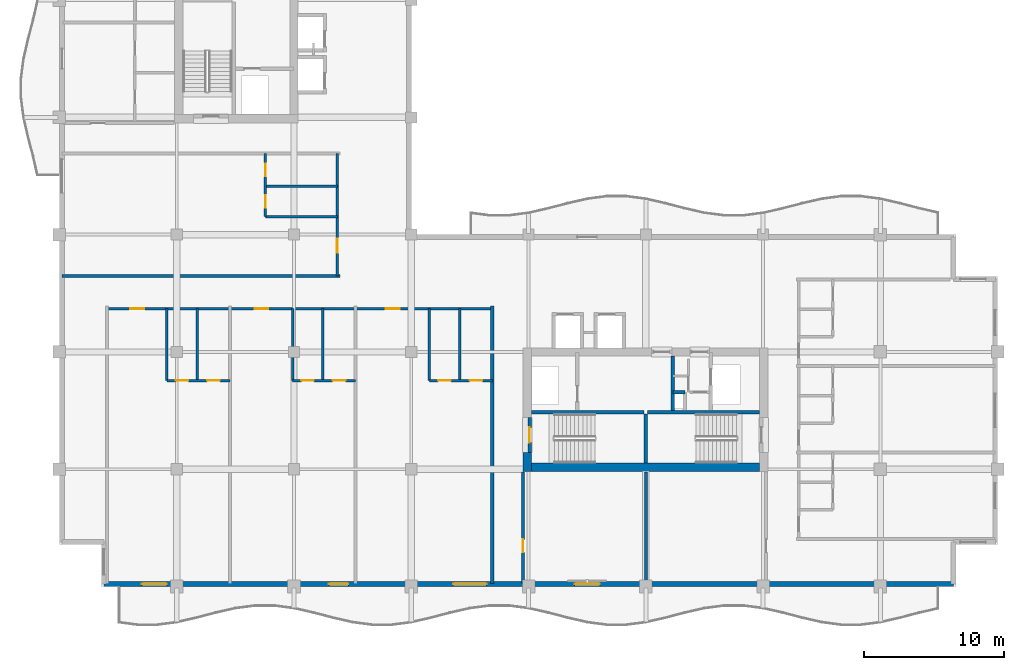
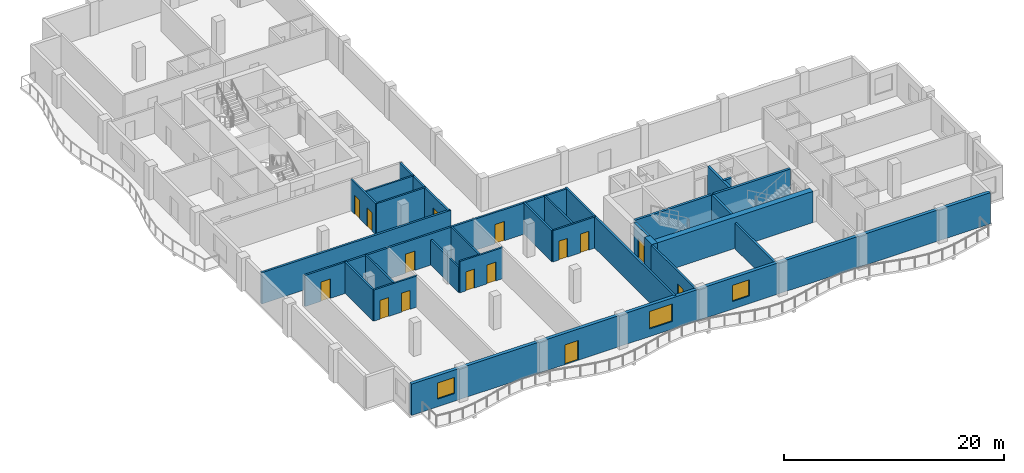
# One storey, part 3 of 12: 27 walls, 15 doors, 3 windows, 18 openings.
"""IFC4 building model written with IfcOpenShell, lengths in metres."""

from ifc_helpers import new_model, si_unit, direction, frame, frame_2d, origin, place, context, subcontext, project, spatial, rectangle, extrude, material, layer, layer_set, type_object, element, fill, save


model = new_model("IFC4")

# Units and contexts
model_context = context("Model", 3, precision=1e-05, world=origin(), true_north=direction((0.0, 1.0)))
body_context = subcontext(model_context, "Body", "Model", "MODEL_VIEW")
ifc_project = project(units=[si_unit("LENGTHUNIT", "METRE"), si_unit("AREAUNIT", "SQUARE_METRE"), si_unit("VOLUMEUNIT", "CUBIC_METRE"), si_unit("PLANEANGLEUNIT", "RADIAN"), si_unit("MASSUNIT", "GRAM", prefix="KILO")], contexts=[model_context])

# Site, building, storey
site_placement = place(None, origin())
site = spatial("IfcSite", under=ifc_project, at=site_placement, CompositionType="ELEMENT")
building_placement = place(site_placement, origin())
building = spatial("IfcBuilding", under=site, at=building_placement, Name="Koriwani Terraces Tower", CompositionType="ELEMENT")
storey_placement = place(building_placement, frame((0.0, 0.0, 241.60009765625)))
storey = spatial("IfcBuildingStorey", under=building, at=storey_placement, Name="L59", CompositionType="ELEMENT", Elevation=241.60009765625)

# Walls
ifc_material_1 = material(Name="Concrete C60/75", Category="concrete")
ifc_layer_1 = layer(ifc_material_1, 0.60009765625, Name="Concrete C60/75")
ifc_layer_set_1 = layer_set([ifc_layer_1], Name="Concrete C60/75")
wall_type_1 = type_object("IfcWallType", Name="WALL_CORE_RC_600", PredefinedType="SHEAR", material=ifc_layer_set_1)
wall_1_placement = place(storey_placement, frame((41.89990234375, 16.64990234375, 0.0), z_axis=(0.0, 0.0, 1.0), x_axis=(0.0, 1.0, 0.0)))
element("IfcWall", 1, at=wall_1_placement, inside=storey, type_object=wall_type_1, Name="L59 East Split Core Shear Wall W1", PredefinedType="SHEAR", context=body_context, shape_type="SweptSolid", body=[
    extrude(rectangle(XDim=1.35009765625, YDim=0.60009765625, at=frame_2d((0.675048828125, 0.0))), origin(), (0.0, 0.0, 1.0), 3.469970703125),
])
wall_2_placement = place(storey_placement, frame((42.199951171875, 16.949951171875, 0.0), z_axis=(0.0, 0.0, 1.0), x_axis=(1.0, 0.0, 0.0)))
element("IfcWall", 2, at=wall_2_placement, inside=storey, type_object=wall_type_1, Name="L59 East Split Core Shear Wall S1", PredefinedType="SHEAR", context=body_context, shape_type="SweptSolid", body=[
    extrude(rectangle(XDim=16.35009765625, YDim=0.60009765625, at=frame_2d((8.175048828125, 0.0))), origin(), (0.0, 0.0, 1.0), 3.469970703125),
])

# Wall, opening, door
ifc_material_2 = material(Name="Autoclaved Cellular Concrete Blockwork", Category="masonry")
ifc_layer_2 = layer(ifc_material_2, 0.199951171875, Name="Autoclaved Cellular Concrete Blockwork")
ifc_layer_set_2 = layer_set([ifc_layer_2], Name="Autoclaved Cellular Concrete Blockwork")
wall_type_2 = type_object("IfcWallType", Name="WALL_CORRIDOR_200", PredefinedType="PARTITIONING", material=ifc_layer_set_2)
wall_3_placement = place(storey_placement, frame((41.60009765625, 8.64990234375, 0.0), z_axis=(0.0, 0.0, 1.0), x_axis=(0.0, 1.0, 0.0)))
wall_3 = element("IfcWall", 3, at=wall_3_placement, inside=storey, type_object=wall_type_2, Name="L59 Interior Wall WRZ4-EW-L59", PredefinedType="PARTITIONING", context=body_context, shape_type="SweptSolid", body=[
    extrude(rectangle(XDim=7.9501953125, YDim=0.199951171875, at=frame_2d((3.97509765625, 0.0))), origin(), (0.0, 0.0, 1.0), 3.469970703125),
])
opening_1_placement = place(wall_3_placement, frame((2.199951171875, 0.0, 0.0)))
opening_1 = element("IfcOpeningElement", 4, at=opening_1_placement, cuts=wall_3, Name="Opening D-06", PredefinedType="OPENING", context=body_context, shape_type="SweptSolid", body=[
    extrude(rectangle(XDim=0.919921875, YDim=2.10009765625, at=frame_2d((0.4599609375, 1.050048828125))), frame((0.0, 0.10986328125, 0.0), z_axis=(0.0, -1.0, 0.0), x_axis=(1.0, 0.0, 0.0)), (0.0, 0.0, 1.0), 0.219970703125),
])
ifc_material_3 = material(Name="Architectural Oak Fire Door", Category="wood")
door_type_1 = type_object("IfcDoorType", Name="DOOR_ROOM_INT_920X2100", OperationType="NOTDEFINED", PredefinedType="DOOR", material=ifc_material_3)
door_1_placement = place(opening_1_placement, origin())
door_1 = element("IfcDoor", 5, at=door_1_placement, inside=storey, type_object=door_type_1, Name="L59 Resident Library Study Door", OperationType="SINGLE_SWING_LEFT", OverallHeight=2.10009765625, OverallWidth=0.919921875, PredefinedType="DOOR", context=body_context, shape_type="SweptSolid", body=[
    extrude(rectangle(XDim=0.919921875, YDim=2.10009765625, at=frame_2d((0.4599609375, 1.050048828125))), frame((0.0, 0.02490234375, 0.0), z_axis=(0.0, -1.0, 0.0), x_axis=(1.0, 0.0, 0.0)), (0.0, 0.0, 1.0), 0.050048828125),
])
fill(opening_1, door_1)

# Wall, openings, doors
wall_4_placement = place(storey_placement, frame((11.800048828125, 28.300048828125, 0.0), z_axis=(0.0, 0.0, 1.0), x_axis=(1.0, 0.0, 0.0)))
wall_4 = element("IfcWall", 6, at=wall_4_placement, inside=storey, type_object=wall_type_2, Name="L59 Interior Wall WRCOR-L59-SW-0", PredefinedType="PARTITIONING", context=body_context, shape_type="SweptSolid", body=[
    extrude(rectangle(XDim=27.599853515625, YDim=0.199951171875, at=frame_2d((13.7998046875, 0.0))), origin(), (0.0, 0.0, 1.0), 3.469970703125),
])
opening_2_placement = place(wall_4_placement, frame((1.669921875, 0.0, 0.0)))
opening_2 = element("IfcOpeningElement", 7, at=opening_2_placement, cuts=wall_4, Name="Opening D-05", PredefinedType="OPENING", context=body_context, shape_type="SweptSolid", body=[
    extrude(rectangle(XDim=1.0, YDim=2.14990234375, at=frame_2d((0.5, 1.074951171875))), frame((0.0, 0.10986328125, 0.0), z_axis=(0.0, -1.0, 0.0), x_axis=(1.0, 0.0, 0.0)), (0.0, 0.0, 1.0), 0.219970703125),
])
opening_3_placement = place(wall_4_placement, frame((10.570068359375, 0.0, 0.0)))
opening_3 = element("IfcOpeningElement", 8, at=opening_3_placement, cuts=wall_4, Name="Opening D-05", PredefinedType="OPENING", context=body_context, shape_type="SweptSolid", body=[
    extrude(rectangle(XDim=1.0, YDim=2.14990234375, at=frame_2d((0.5, 1.074951171875))), frame((0.0, 0.10986328125, 0.0), z_axis=(0.0, -1.0, 0.0), x_axis=(1.0, 0.0, 0.0)), (0.0, 0.0, 1.0), 0.219970703125),
])
opening_4_placement = place(wall_4_placement, frame((19.969970703125, 0.0, 0.0)))
opening_4 = element("IfcOpeningElement", 9, at=opening_4_placement, cuts=wall_4, Name="Opening D-05", PredefinedType="OPENING", context=body_context, shape_type="SweptSolid", body=[
    extrude(rectangle(XDim=1.0, YDim=2.14990234375, at=frame_2d((0.5, 1.074951171875))), frame((0.0, 0.10986328125, 0.0), z_axis=(0.0, -1.0, 0.0), x_axis=(1.0, 0.0, 0.0)), (0.0, 0.0, 1.0), 0.219970703125),
])
door_type_2 = type_object("IfcDoorType", Name="DOOR_SUITE_ENTRY_1000X2150", OperationType="NOTDEFINED", PredefinedType="DOOR", material=ifc_material_3)
door_2_placement = place(opening_2_placement, origin())
door_2 = element("IfcDoor", 10, at=door_2_placement, inside=storey, type_object=door_type_2, Name="Apartment 59SW1 Entrance Door", OperationType="SINGLE_SWING_LEFT", OverallHeight=2.14990234375, OverallWidth=1.0, PredefinedType="DOOR", context=body_context, shape_type="SweptSolid", body=[
    extrude(rectangle(XDim=1.0, YDim=2.14990234375, at=frame_2d((0.5, 1.074951171875))), frame((0.0, 0.02490234375, 0.0), z_axis=(0.0, -1.0, 0.0), x_axis=(1.0, 0.0, 0.0)), (0.0, 0.0, 1.0), 0.050048828125),
])
fill(opening_2, door_2)
door_3_placement = place(opening_3_placement, origin())
door_3 = element("IfcDoor", 11, at=door_3_placement, inside=storey, type_object=door_type_2, Name="Apartment 59SW2 Entrance Door", OperationType="SINGLE_SWING_RIGHT", OverallHeight=2.14990234375, OverallWidth=1.0, PredefinedType="DOOR", context=body_context, shape_type="SweptSolid", body=[
    extrude(rectangle(XDim=1.0, YDim=2.14990234375, at=frame_2d((0.5, 1.074951171875))), frame((0.0, 0.02490234375, 0.0), z_axis=(0.0, -1.0, 0.0), x_axis=(1.0, 0.0, 0.0)), (0.0, 0.0, 1.0), 0.050048828125),
])
fill(opening_3, door_3)
door_4_placement = place(opening_4_placement, origin())
door_4 = element("IfcDoor", 12, at=door_4_placement, inside=storey, type_object=door_type_2, Name="Apartment 59SW3 Entrance Door", OperationType="SINGLE_SWING_LEFT", OverallHeight=2.14990234375, OverallWidth=1.0, PredefinedType="DOOR", context=body_context, shape_type="SweptSolid", body=[
    extrude(rectangle(XDim=1.0, YDim=2.14990234375, at=frame_2d((0.5, 1.074951171875))), frame((0.0, 0.02490234375, 0.0), z_axis=(0.0, -1.0, 0.0), x_axis=(1.0, 0.0, 0.0)), (0.0, 0.0, 1.0), 0.050048828125),
])
fill(opening_4, door_4)

# Wall, opening, door
wall_5_placement = place(storey_placement, frame((28.300048828125, 30.64990234375, 0.0), z_axis=(0.0, 0.0, 1.0), x_axis=(0.0, 1.0, 0.0)))
wall_5 = element("IfcWall", 13, at=wall_5_placement, inside=storey, type_object=wall_type_2, Name="L59 Interior Wall WRCOR-L59-NE-0", PredefinedType="PARTITIONING", context=body_context, shape_type="SweptSolid", body=[
    extrude(rectangle(XDim=8.75, YDim=0.199951171875, at=frame_2d((4.375, 0.0))), origin(), (0.0, 0.0, 1.0), 3.469970703125),
])
opening_5_placement = place(wall_5_placement, frame((1.64501953125, 0.0, 0.0)))
opening_5 = element("IfcOpeningElement", 14, at=opening_5_placement, cuts=wall_5, Name="Opening D-05", PredefinedType="OPENING", context=body_context, shape_type="SweptSolid", body=[
    extrude(rectangle(XDim=1.0, YDim=2.14990234375, at=frame_2d((0.5, 1.074951171875))), frame((0.0, 0.10986328125, 0.0), z_axis=(0.0, -1.0, 0.0), x_axis=(1.0, 0.0, 0.0)), (0.0, 0.0, 1.0), 0.219970703125),
])
door_5_placement = place(opening_5_placement, origin())
door_5 = element("IfcDoor", 15, at=door_5_placement, inside=storey, type_object=door_type_2, Name="Apartment 59NE1 Entrance Door", OperationType="SINGLE_SWING_RIGHT", OverallHeight=2.14990234375, OverallWidth=1.0, PredefinedType="DOOR", context=body_context, shape_type="SweptSolid", body=[
    extrude(rectangle(XDim=1.0, YDim=2.14990234375, at=frame_2d((0.5, 1.074951171875))), frame((0.0, 0.02490234375, 0.0), z_axis=(0.0, -1.0, 0.0), x_axis=(1.0, 0.0, 0.0)), (0.0, 0.0, 1.0), 0.050048828125),
])
fill(opening_5, door_5)

# Walls
ifc_layer_3 = layer(ifc_material_2, 0.219970703125, Name="Autoclaved Cellular Concrete Blockwork")
ifc_layer_set_3 = layer_set([ifc_layer_3], Name="Autoclaved Cellular Concrete Blockwork")
wall_type_3 = type_object("IfcWallType", Name="WALL_DEMISING_220", PredefinedType="PARTITIONING", material=ifc_layer_set_3)
wall_6_placement = place(storey_placement, frame((50.39990234375, 8.64990234375, 0.0), z_axis=(0.0, 0.0, 1.0), x_axis=(0.0, 1.0, 0.0)))
element("IfcWall", 16, at=wall_6_placement, inside=storey, type_object=wall_type_3, Name="L59 Interior Wall WRZ4-EM-L59", PredefinedType="PARTITIONING", context=body_context, shape_type="SweptSolid", body=[
    extrude(rectangle(XDim=7.9501953125, YDim=0.219970703125, at=frame_2d((3.97509765625, 0.0))), origin(), (0.0, 0.0, 1.0), 2.852783203125),
])
for number, where, z_axis, x_axis, name in (
    (17, (39.39990234375, 8.60009765625, 0.0), (0.0, 0.0, 1.0), (0.0, 1.0, 0.0), "L59 Interior Wall WRDEME-L59-SW"),
    (18, (8.60009765625, 30.64990234375, 0.0), (0.0, 0.0, 1.0), (1.0, 0.0, 0.0), "L59 Interior Wall WRDEM-L59-NE-0"),
):
    element("IfcWall", number, at=place(storey_placement, frame(where, z_axis=z_axis, x_axis=x_axis)), inside=storey, type_object=wall_type_3, Name=name, PredefinedType="PARTITIONING", context=body_context, shape_type="SweptSolid", body=[
        extrude(rectangle(XDim=19.8798828125, YDim=0.219970703125, at=frame_2d((9.93994140625, 0.0))), origin(), (0.0, 0.0, 1.0), 3.469970703125),
    ])

# Wall, openings, door, windows
ifc_material_4 = material(Name="Concrete C50/60", Category="concrete")
ifc_layer_4 = layer(ifc_material_4, 0.35009765625, Name="Concrete C50/60")
ifc_layer_set_4 = layer_set([ifc_layer_4], Name="Concrete C50/60")
wall_type_4 = type_object("IfcWallType", Name="WALL_EXT_BRUTALIST_350", PredefinedType="STANDARD", material=ifc_layer_set_4)
wall_7_placement = place(storey_placement, frame((72.425048828125, 8.574951171875, 0.0), z_axis=(0.0, 0.0, 1.0), x_axis=(-1.0, 0.0, 0.0)))
wall_7 = element("IfcWall", 19, at=wall_7_placement, inside=storey, type_object=wall_type_4, Name="L59 Fair-Faced Brutalist Exterior Wall (S)", PredefinedType="STANDARD", context=body_context, shape_type="SweptSolid", body=[
    extrude(rectangle(XDim=60.85009765625, YDim=0.35009765625, at=frame_2d((30.425048828125, 0.0))), origin(), (0.0, 0.0, 1.0), 3.469970703125),
])
opening_6_placement = place(wall_7_placement, frame((43.324951171875, 0.0, 0.0)))
opening_6 = element("IfcOpeningElement", 20, at=opening_6_placement, cuts=wall_7, Name="Opening D-09", PredefinedType="OPENING", context=body_context, shape_type="SweptSolid", body=[
    extrude(rectangle(XDim=1.39990234375, YDim=2.199951171875, at=frame_2d((0.699951171875, 1.10009765625))), frame((0.0, 0.18505859375, 0.0), z_axis=(0.0, -1.0, 0.0), x_axis=(1.0, 0.0, 0.0)), (0.0, 0.0, 1.0), 0.3701171875),
])
opening_7_placement = place(wall_7_placement, frame((33.425048828125, 0.0, 0.85009765625)))
opening_7 = element("IfcOpeningElement", 21, at=opening_7_placement, cuts=wall_7, Name="Opening W-03", PredefinedType="OPENING", context=body_context, shape_type="SweptSolid", body=[
    extrude(rectangle(XDim=2.39990234375, YDim=1.949951171875, at=frame_2d((1.199951171875, 0.97509765625))), frame((0.0, 0.18505859375, 0.0), z_axis=(0.0, -1.0, 0.0), x_axis=(1.0, 0.0, 0.0)), (0.0, 0.0, 1.0), 0.3701171875),
])
opening_8_placement = place(wall_7_placement, frame((25.324951171875, 0.0, 0.85009765625)))
opening_8 = element("IfcOpeningElement", 22, at=opening_8_placement, cuts=wall_7, Name="Opening W-04", PredefinedType="OPENING", context=body_context, shape_type="SweptSolid", body=[
    extrude(rectangle(XDim=1.800048828125, YDim=1.800048828125, at=frame_2d((0.89990234375, 0.89990234375))), frame((0.0, 0.18505859375, 0.0), z_axis=(0.0, -1.0, 0.0), x_axis=(1.0, 0.0, 0.0)), (0.0, 0.0, 1.0), 0.3701171875),
])
opening_9_placement = place(wall_7_placement, frame((56.324951171875, 0.0, 0.85009765625)))
opening_9 = element("IfcOpeningElement", 23, at=opening_9_placement, cuts=wall_7, Name="Opening W-04", PredefinedType="OPENING", context=body_context, shape_type="SweptSolid", body=[
    extrude(rectangle(XDim=1.800048828125, YDim=1.800048828125, at=frame_2d((0.89990234375, 0.89990234375))), frame((0.0, 0.18505859375, 0.0), z_axis=(0.0, -1.0, 0.0), x_axis=(1.0, 0.0, 0.0)), (0.0, 0.0, 1.0), 0.3701171875),
])
ifc_material_5 = material(Name="Anodised Bronze Aluminium", Category="aluminium")
door_type_3 = type_object("IfcDoorType", Name="DOOR_BALCONY_GLAZED_1400X2200", OperationType="NOTDEFINED", PredefinedType="DOOR", material=ifc_material_5)
door_6_placement = place(opening_6_placement, origin())
door_6 = element("IfcDoor", 24, at=door_6_placement, inside=storey, type_object=door_type_3, Name="L59 South Balcony Glazed Door", OperationType="SINGLE_SWING_LEFT", OverallHeight=2.199951171875, OverallWidth=1.39990234375, PredefinedType="DOOR", context=body_context, shape_type="SweptSolid", body=[
    extrude(rectangle(XDim=1.39990234375, YDim=2.199951171875, at=frame_2d((0.699951171875, 1.10009765625))), frame((0.0, 0.02490234375, 0.0), z_axis=(0.0, -1.0, 0.0), x_axis=(1.0, 0.0, 0.0)), (0.0, 0.0, 1.0), 0.050048828125),
])
fill(opening_6, door_6)
ifc_material_6 = material(Name="Tempered Laminated Low-E Glass", Category="glass")
window_type_1 = type_object("IfcWindowType", Name="WIN_RES_BED_1800X1800", PartitioningType="DOUBLE_PANEL_VERTICAL", PredefinedType="WINDOW", material=ifc_material_6)
window_1_placement = place(opening_8_placement, origin())
window_1 = element("IfcWindow", 25, at=window_1_placement, inside=storey, type_object=window_type_1, Name="L59 Exterior Window (S-12)", OverallHeight=1.800048828125, OverallWidth=1.800048828125, PartitioningType="SINGLE_PANEL", PredefinedType="WINDOW", context=body_context, shape_type="SweptSolid", body=[
    extrude(rectangle(XDim=1.800048828125, YDim=1.800048828125, at=frame_2d((0.89990234375, 0.89990234375))), frame((0.0, 0.030029296875, 0.0), z_axis=(0.0, -1.0, 0.0), x_axis=(1.0, 0.0, 0.0)), (0.0, 0.0, 1.0), 0.06005859375),
])
fill(opening_8, window_1)
window_2_placement = place(opening_9_placement, origin())
window_2 = element("IfcWindow", 26, at=window_2_placement, inside=storey, type_object=window_type_1, Name="L59 Exterior Window (S-R32)", OverallHeight=1.800048828125, OverallWidth=1.800048828125, PartitioningType="SINGLE_PANEL", PredefinedType="WINDOW", context=body_context, shape_type="SweptSolid", body=[
    extrude(rectangle(XDim=1.800048828125, YDim=1.800048828125, at=frame_2d((0.89990234375, 0.89990234375))), frame((0.0, 0.030029296875, 0.0), z_axis=(0.0, -1.0, 0.0), x_axis=(1.0, 0.0, 0.0)), (0.0, 0.0, 1.0), 0.06005859375),
])
fill(opening_9, window_2)
window_type_2 = type_object("IfcWindowType", Name="WIN_RES_LIVING_2400X1950", PartitioningType="DOUBLE_PANEL_VERTICAL", PredefinedType="WINDOW", material=ifc_material_6)
window_3_placement = place(opening_7_placement, origin())
window_3 = element("IfcWindow", 27, at=window_3_placement, inside=storey, type_object=window_type_2, Name="L59 Exterior Window (S-9)", OverallHeight=1.949951171875, OverallWidth=2.39990234375, PartitioningType="SINGLE_PANEL", PredefinedType="WINDOW", context=body_context, shape_type="SweptSolid", body=[
    extrude(rectangle(XDim=2.39990234375, YDim=1.949951171875, at=frame_2d((1.199951171875, 0.97509765625))), frame((0.0, 0.030029296875, 0.0), z_axis=(0.0, -1.0, 0.0), x_axis=(1.0, 0.0, 0.0)), (0.0, 0.0, 1.0), 0.06005859375),
])
fill(opening_7, window_3)

# Wall, openings, doors
ifc_material_7 = material(Name="Fire-Rated Acoustic Gypsum Partition", Category="masonry")
ifc_layer_5 = layer(ifc_material_7, 0.179931640625, Name="Fire-Rated Acoustic Gypsum Partition")
ifc_layer_set_5 = layer_set([ifc_layer_5], Name="Fire-Rated Acoustic Gypsum Partition")
wall_type_5 = type_object("IfcWallType", Name="WALL_PLUMBING_180", PredefinedType="PLUMBINGWALL", material=ifc_layer_set_5)
wall_8_placement = place(storey_placement, frame((16.10009765625, 23.14990234375, 0.0), z_axis=(0.0, 0.0, 1.0), x_axis=(1.0, 0.0, 0.0)))
wall_8 = element("IfcWall", 28, at=wall_8_placement, inside=storey, type_object=wall_type_5, Name="L59 Interior Wall WRSVC-L59-SW-0", PredefinedType="PLUMBINGWALL", context=body_context, shape_type="SweptSolid", body=[
    extrude(rectangle(XDim=4.5, YDim=0.179931640625, at=frame_2d((2.25, 0.0))), origin(), (0.0, 0.0, 1.0), 3.469970703125),
])
opening_10_placement = place(wall_8_placement, frame((0.6298828125, 0.0, 0.0)))
opening_10 = element("IfcOpeningElement", 29, at=opening_10_placement, cuts=wall_8, Name="Opening D-07", PredefinedType="OPENING", context=body_context, shape_type="SweptSolid", body=[
    extrude(rectangle(XDim=0.89990234375, YDim=2.10009765625, at=frame_2d((0.449951171875, 1.050048828125))), frame((0.0, 0.10009765625, 0.0), z_axis=(0.0, -1.0, 0.0), x_axis=(1.0, 0.0, 0.0)), (0.0, 0.0, 1.0), 0.199951171875),
])
opening_11_placement = place(wall_8_placement, frame((2.8701171875, 0.0, 0.0)))
opening_11 = element("IfcOpeningElement", 30, at=opening_11_placement, cuts=wall_8, Name="Opening D-06", PredefinedType="OPENING", context=body_context, shape_type="SweptSolid", body=[
    extrude(rectangle(XDim=0.919921875, YDim=2.10009765625, at=frame_2d((0.4599609375, 1.050048828125))), frame((0.0, 0.10009765625, 0.0), z_axis=(0.0, -1.0, 0.0), x_axis=(1.0, 0.0, 0.0)), (0.0, 0.0, 1.0), 0.199951171875),
])
door_type_4 = type_object("IfcDoorType", Name="DOOR_BATH_INT_900X2100", OperationType="NOTDEFINED", PredefinedType="DOOR", material=ifc_material_3)
door_7_placement = place(opening_10_placement, origin())
door_7 = element("IfcDoor", 31, at=door_7_placement, inside=storey, type_object=door_type_4, Name="Apartment 59SW1 Bathroom Door", OperationType="SINGLE_SWING_RIGHT", OverallHeight=2.10009765625, OverallWidth=0.89990234375, PredefinedType="DOOR", context=body_context, shape_type="SweptSolid", body=[
    extrude(rectangle(XDim=0.89990234375, YDim=2.10009765625, at=frame_2d((0.449951171875, 1.050048828125))), frame((0.0, 0.02490234375, 0.0), z_axis=(0.0, -1.0, 0.0), x_axis=(1.0, 0.0, 0.0)), (0.0, 0.0, 1.0), 0.050048828125),
])
fill(opening_10, door_7)
door_8_placement = place(opening_11_placement, origin())
door_8 = element("IfcDoor", 32, at=door_8_placement, inside=storey, type_object=door_type_1, Name="Apartment 59SW1 Kitchen Door", OperationType="SINGLE_SWING_LEFT", OverallHeight=2.10009765625, OverallWidth=0.919921875, PredefinedType="DOOR", context=body_context, shape_type="SweptSolid", body=[
    extrude(rectangle(XDim=0.919921875, YDim=2.10009765625, at=frame_2d((0.4599609375, 1.050048828125))), frame((0.0, 0.02490234375, 0.0), z_axis=(0.0, -1.0, 0.0), x_axis=(1.0, 0.0, 0.0)), (0.0, 0.0, 1.0), 0.050048828125),
])
fill(opening_11, door_8)

# Walls
for number, where, z_axis, x_axis, name in (
    (33, (16.10009765625, 23.14990234375, 0.0), (0.0, 0.0, 1.0), (0.0, 1.0, 0.0), "L59 Interior Wall WRSVCS-L59-SW-0"),
    (34, (18.260009765625, 23.14990234375, 0.0), (0.0, 0.0, 1.0), (0.0, 1.0, 0.0), "L59 Interior Wall WRSVCM-L59-SW-0"),
):
    element("IfcWall", number, at=place(storey_placement, frame(where, z_axis=z_axis, x_axis=x_axis)), inside=storey, type_object=wall_type_5, Name=name, PredefinedType="PLUMBINGWALL", context=body_context, shape_type="SweptSolid", body=[
        extrude(rectangle(XDim=5.150146484375, YDim=0.179931640625, at=frame_2d((2.5751953125, 0.0))), origin(), (0.0, 0.0, 1.0), 3.469970703125),
    ])

# Wall, openings, doors
wall_9_placement = place(storey_placement, frame((25.10009765625, 23.14990234375, 0.0), z_axis=(0.0, 0.0, 1.0), x_axis=(1.0, 0.0, 0.0)))
wall_9 = element("IfcWall", 35, at=wall_9_placement, inside=storey, type_object=wall_type_5, Name="L59 Interior Wall WRSVC-L59-SW-1", PredefinedType="PLUMBINGWALL", context=body_context, shape_type="SweptSolid", body=[
    extrude(rectangle(XDim=4.5, YDim=0.179931640625, at=frame_2d((2.25, 0.0))), origin(), (0.0, 0.0, 1.0), 3.469970703125),
])
opening_12_placement = place(wall_9_placement, frame((0.6298828125, 0.0, 0.0)))
opening_12 = element("IfcOpeningElement", 36, at=opening_12_placement, cuts=wall_9, Name="Opening D-07", PredefinedType="OPENING", context=body_context, shape_type="SweptSolid", body=[
    extrude(rectangle(XDim=0.89990234375, YDim=2.10009765625, at=frame_2d((0.449951171875, 1.050048828125))), frame((0.0, 0.10009765625, 0.0), z_axis=(0.0, -1.0, 0.0), x_axis=(1.0, 0.0, 0.0)), (0.0, 0.0, 1.0), 0.199951171875),
])
opening_13_placement = place(wall_9_placement, frame((2.8701171875, 0.0, 0.0)))
opening_13 = element("IfcOpeningElement", 37, at=opening_13_placement, cuts=wall_9, Name="Opening D-06", PredefinedType="OPENING", context=body_context, shape_type="SweptSolid", body=[
    extrude(rectangle(XDim=0.919921875, YDim=2.10009765625, at=frame_2d((0.4599609375, 1.050048828125))), frame((0.0, 0.10009765625, 0.0), z_axis=(0.0, -1.0, 0.0), x_axis=(1.0, 0.0, 0.0)), (0.0, 0.0, 1.0), 0.199951171875),
])
door_9_placement = place(opening_12_placement, origin())
door_9 = element("IfcDoor", 38, at=door_9_placement, inside=storey, type_object=door_type_4, Name="Apartment 59SW2 Bathroom Door", OperationType="SINGLE_SWING_LEFT", OverallHeight=2.10009765625, OverallWidth=0.89990234375, PredefinedType="DOOR", context=body_context, shape_type="SweptSolid", body=[
    extrude(rectangle(XDim=0.89990234375, YDim=2.10009765625, at=frame_2d((0.449951171875, 1.050048828125))), frame((0.0, 0.02490234375, 0.0), z_axis=(0.0, -1.0, 0.0), x_axis=(1.0, 0.0, 0.0)), (0.0, 0.0, 1.0), 0.050048828125),
])
fill(opening_12, door_9)
door_10_placement = place(opening_13_placement, origin())
door_10 = element("IfcDoor", 39, at=door_10_placement, inside=storey, type_object=door_type_1, Name="Apartment 59SW2 Kitchen Door", OperationType="SINGLE_SWING_RIGHT", OverallHeight=2.10009765625, OverallWidth=0.919921875, PredefinedType="DOOR", context=body_context, shape_type="SweptSolid", body=[
    extrude(rectangle(XDim=0.919921875, YDim=2.10009765625, at=frame_2d((0.4599609375, 1.050048828125))), frame((0.0, 0.02490234375, 0.0), z_axis=(0.0, -1.0, 0.0), x_axis=(1.0, 0.0, 0.0)), (0.0, 0.0, 1.0), 0.050048828125),
])
fill(opening_13, door_10)

# Walls
wall_10_placement = place(storey_placement, frame((25.10009765625, 23.14990234375, 0.0), z_axis=(0.0, 0.0, 1.0), x_axis=(0.0, 1.0, 0.0)))
element("IfcWall", 40, at=wall_10_placement, inside=storey, type_object=wall_type_5, Name="L59 Interior Wall WRSVCS-L59-SW-1", PredefinedType="PLUMBINGWALL", context=body_context, shape_type="SweptSolid", body=[
    extrude(rectangle(XDim=5.150146484375, YDim=0.179931640625, at=frame_2d((2.5751953125, 0.0))), origin(), (0.0, 0.0, 1.0), 2.81982421875),
])
wall_11_placement = place(storey_placement, frame((27.260009765625, 23.14990234375, 0.0), z_axis=(0.0, 0.0, 1.0), x_axis=(0.0, 1.0, 0.0)))
element("IfcWall", 41, at=wall_11_placement, inside=storey, type_object=wall_type_5, Name="L59 Interior Wall WRSVCM-L59-SW-1", PredefinedType="PLUMBINGWALL", context=body_context, shape_type="SweptSolid", body=[
    extrude(rectangle(XDim=5.150146484375, YDim=0.179931640625, at=frame_2d((2.5751953125, 0.0))), origin(), (0.0, 0.0, 1.0), 3.469970703125),
])

# Wall, openings, doors
wall_12_placement = place(storey_placement, frame((34.89990234375, 23.14990234375, 0.0), z_axis=(0.0, 0.0, 1.0), x_axis=(1.0, 0.0, 0.0)))
wall_12 = element("IfcWall", 42, at=wall_12_placement, inside=storey, type_object=wall_type_5, Name="L59 Interior Wall WRSVC-L59-SW-2", PredefinedType="PLUMBINGWALL", context=body_context, shape_type="SweptSolid", body=[
    extrude(rectangle(XDim=4.5, YDim=0.179931640625, at=frame_2d((2.25, 0.0))), origin(), (0.0, 0.0, 1.0), 3.469970703125),
])
opening_14_placement = place(wall_12_placement, frame((0.6298828125, 0.0, 0.0)))
opening_14 = element("IfcOpeningElement", 43, at=opening_14_placement, cuts=wall_12, Name="Opening D-07", PredefinedType="OPENING", context=body_context, shape_type="SweptSolid", body=[
    extrude(rectangle(XDim=0.89990234375, YDim=2.10009765625, at=frame_2d((0.449951171875, 1.050048828125))), frame((0.0, 0.10009765625, 0.0), z_axis=(0.0, -1.0, 0.0), x_axis=(1.0, 0.0, 0.0)), (0.0, 0.0, 1.0), 0.199951171875),
])
opening_15_placement = place(wall_12_placement, frame((2.8701171875, 0.0, 0.0)))
opening_15 = element("IfcOpeningElement", 44, at=opening_15_placement, cuts=wall_12, Name="Opening D-06", PredefinedType="OPENING", context=body_context, shape_type="SweptSolid", body=[
    extrude(rectangle(XDim=0.919921875, YDim=2.10009765625, at=frame_2d((0.4599609375, 1.050048828125))), frame((0.0, 0.10009765625, 0.0), z_axis=(0.0, -1.0, 0.0), x_axis=(1.0, 0.0, 0.0)), (0.0, 0.0, 1.0), 0.199951171875),
])
door_11_placement = place(opening_14_placement, origin())
door_11 = element("IfcDoor", 45, at=door_11_placement, inside=storey, type_object=door_type_4, Name="Apartment 59SW3 Bathroom Door", OperationType="SINGLE_SWING_RIGHT", OverallHeight=2.10009765625, OverallWidth=0.89990234375, PredefinedType="DOOR", context=body_context, shape_type="SweptSolid", body=[
    extrude(rectangle(XDim=0.89990234375, YDim=2.10009765625, at=frame_2d((0.449951171875, 1.050048828125))), frame((0.0, 0.02490234375, 0.0), z_axis=(0.0, -1.0, 0.0), x_axis=(1.0, 0.0, 0.0)), (0.0, 0.0, 1.0), 0.050048828125),
])
fill(opening_14, door_11)
door_12_placement = place(opening_15_placement, origin())
door_12 = element("IfcDoor", 46, at=door_12_placement, inside=storey, type_object=door_type_1, Name="Apartment 59SW3 Kitchen Door", OperationType="SINGLE_SWING_LEFT", OverallHeight=2.10009765625, OverallWidth=0.919921875, PredefinedType="DOOR", context=body_context, shape_type="SweptSolid", body=[
    extrude(rectangle(XDim=0.919921875, YDim=2.10009765625, at=frame_2d((0.4599609375, 1.050048828125))), frame((0.0, 0.02490234375, 0.0), z_axis=(0.0, -1.0, 0.0), x_axis=(1.0, 0.0, 0.0)), (0.0, 0.0, 1.0), 0.050048828125),
])
fill(opening_15, door_12)

# Walls
for number, where, z_axis, x_axis, name in (
    (47, (34.89990234375, 23.14990234375, 0.0), (0.0, 0.0, 1.0), (0.0, 1.0, 0.0), "L59 Interior Wall WRSVCS-L59-SW-2"),
    (48, (37.06005859375, 23.14990234375, 0.0), (0.0, 0.0, 1.0), (0.0, 1.0, 0.0), "L59 Interior Wall WRSVCM-L59-SW-2"),
):
    element("IfcWall", number, at=place(storey_placement, frame(where, z_axis=z_axis, x_axis=x_axis)), inside=storey, type_object=wall_type_5, Name=name, PredefinedType="PLUMBINGWALL", context=body_context, shape_type="SweptSolid", body=[
        extrude(rectangle(XDim=5.150146484375, YDim=0.179931640625, at=frame_2d((2.5751953125, 0.0))), origin(), (0.0, 0.0, 1.0), 3.469970703125),
    ])

# Wall, openings, doors
wall_13_placement = place(storey_placement, frame((23.14990234375, 34.89990234375, 0.0), z_axis=(0.0, 0.0, 1.0), x_axis=(0.0, 1.0, 0.0)))
wall_13 = element("IfcWall", 49, at=wall_13_placement, inside=storey, type_object=wall_type_5, Name="L59 Interior Wall WRSVC-L59-NE-0", PredefinedType="PLUMBINGWALL", context=body_context, shape_type="SweptSolid", body=[
    extrude(rectangle(XDim=4.5, YDim=0.179931640625, at=frame_2d((2.25, 0.0))), origin(), (0.0, 0.0, 1.0), 3.469970703125),
])
opening_16_placement = place(wall_13_placement, frame((0.6298828125, 0.0, 0.0)))
opening_16 = element("IfcOpeningElement", 50, at=opening_16_placement, cuts=wall_13, Name="Opening D-07", PredefinedType="OPENING", context=body_context, shape_type="SweptSolid", body=[
    extrude(rectangle(XDim=0.89990234375, YDim=2.10009765625, at=frame_2d((0.449951171875, 1.050048828125))), frame((0.0, 0.10009765625, 0.0), z_axis=(0.0, -1.0, 0.0), x_axis=(1.0, 0.0, 0.0)), (0.0, 0.0, 1.0), 0.199951171875),
])
opening_17_placement = place(wall_13_placement, frame((2.8701171875, 0.0, 0.0)))
opening_17 = element("IfcOpeningElement", 51, at=opening_17_placement, cuts=wall_13, Name="Opening D-06", PredefinedType="OPENING", context=body_context, shape_type="SweptSolid", body=[
    extrude(rectangle(XDim=0.919921875, YDim=2.10009765625, at=frame_2d((0.4599609375, 1.050048828125))), frame((0.0, 0.10009765625, 0.0), z_axis=(0.0, -1.0, 0.0), x_axis=(1.0, 0.0, 0.0)), (0.0, 0.0, 1.0), 0.199951171875),
])
door_13_placement = place(opening_16_placement, origin())
door_13 = element("IfcDoor", 52, at=door_13_placement, inside=storey, type_object=door_type_4, Name="Apartment 59NE1 Bathroom Door", OperationType="SINGLE_SWING_LEFT", OverallHeight=2.10009765625, OverallWidth=0.89990234375, PredefinedType="DOOR", context=body_context, shape_type="SweptSolid", body=[
    extrude(rectangle(XDim=0.89990234375, YDim=2.10009765625, at=frame_2d((0.449951171875, 1.050048828125))), frame((0.0, 0.02490234375, 0.0), z_axis=(0.0, -1.0, 0.0), x_axis=(1.0, 0.0, 0.0)), (0.0, 0.0, 1.0), 0.050048828125),
])
fill(opening_16, door_13)
door_14_placement = place(opening_17_placement, origin())
door_14 = element("IfcDoor", 53, at=door_14_placement, inside=storey, type_object=door_type_1, Name="Apartment 59NE1 Kitchen Door", OperationType="SINGLE_SWING_RIGHT", OverallHeight=2.10009765625, OverallWidth=0.919921875, PredefinedType="DOOR", context=body_context, shape_type="SweptSolid", body=[
    extrude(rectangle(XDim=0.919921875, YDim=2.10009765625, at=frame_2d((0.4599609375, 1.050048828125))), frame((0.0, 0.02490234375, 0.0), z_axis=(0.0, -1.0, 0.0), x_axis=(1.0, 0.0, 0.0)), (0.0, 0.0, 1.0), 0.050048828125),
])
fill(opening_17, door_14)

# Walls
for number, where, z_axis, x_axis, name in (
    (54, (23.14990234375, 34.89990234375, 0.0), (0.0, 0.0, 1.0), (1.0, 0.0, 0.0), "L59 Interior Wall WRSVCS-L59-NE-0"),
    (55, (23.14990234375, 37.06005859375, 0.0), (0.0, 0.0, 1.0), (1.0, 0.0, 0.0), "L59 Interior Wall WRSVCM-L59-NE-0"),
):
    element("IfcWall", number, at=place(storey_placement, frame(where, z_axis=z_axis, x_axis=x_axis)), inside=storey, type_object=wall_type_5, Name=name, PredefinedType="PLUMBINGWALL", context=body_context, shape_type="SweptSolid", body=[
        extrude(rectangle(XDim=5.150146484375, YDim=0.179931640625, at=frame_2d((2.5751953125, 0.0))), origin(), (0.0, 0.0, 1.0), 3.469970703125),
    ])
ifc_material_8 = material(Name="Concrete C40/50", Category="concrete")
ifc_layer_6 = layer(ifc_material_8, 0.25, Name="Concrete C40/50")
ifc_layer_set_6 = layer_set([ifc_layer_6], Name="Concrete C40/50")
wall_type_6 = type_object("IfcWallType", Name="WALL_SHAFT_RATED_250", PredefinedType="SOLIDWALL", material=ifc_layer_set_6)
for number, where, z_axis, x_axis, name in (
    (56, (42.199951171875, 20.875, 0.0), (0.0, 0.0, 1.0), (1.0, 0.0, 0.0), "L59 East Split Core Web Wall MID1"),
    (57, (50.5, 20.875, 0.0), (0.0, 0.0, 1.0), (1.0, 0.0, 0.0), "L59 East Split Core Web Wall MID2"),
):
    element("IfcWall", number, at=place(storey_placement, frame(where, z_axis=z_axis, x_axis=x_axis)), inside=storey, type_object=wall_type_6, Name=name, PredefinedType="SOLIDWALL", context=body_context, shape_type="SweptSolid", body=[
        extrude(rectangle(XDim=8.050048828125, YDim=0.25, at=frame_2d((4.02490234375, 0.0))), origin(), (0.0, 0.0, 1.0), 3.469970703125),
    ])
wall_14_placement = place(storey_placement, frame((50.375, 17.25, 0.0), z_axis=(0.0, 0.0, 1.0), x_axis=(0.0, 1.0, 0.0)))
element("IfcWall", 58, at=wall_14_placement, inside=storey, type_object=wall_type_6, Name="L59 East Split Core Stair Dividing Wall", PredefinedType="SOLIDWALL", context=body_context, shape_type="SweptSolid", body=[
    extrude(rectangle(XDim=3.5, YDim=0.25, at=frame_2d((1.75, 0.0))), origin(), (0.0, 0.0, 1.0), 3.469970703125),
])

# Wall, opening, door
wall_15_placement = place(storey_placement, frame((42.074951171875, 18.0, 0.0), z_axis=(0.0, 0.0, 1.0), x_axis=(0.0, 1.0, 0.0)))
wall_15 = element("IfcWall", 59, at=wall_15_placement, inside=storey, type_object=wall_type_6, Name="L59 Interior Wall WIN-CE-L59-STW", PredefinedType="SOLIDWALL", context=body_context, shape_type="SweptSolid", body=[
    extrude(rectangle(XDim=2.5, YDim=0.25, at=frame_2d((1.25, 0.0))), origin(), (0.0, 0.0, 1.0), 3.469970703125),
])
opening_18_placement = place(wall_15_placement, frame((0.699951171875, 0.0, 0.0)))
opening_18 = element("IfcOpeningElement", 60, at=opening_18_placement, cuts=wall_15, Name="Opening D-03", PredefinedType="OPENING", context=body_context, shape_type="SweptSolid", body=[
    extrude(rectangle(XDim=1.10009765625, YDim=2.14990234375, at=frame_2d((0.550048828125, 1.074951171875))), frame((0.0, 0.135009765625, 0.0), z_axis=(0.0, -1.0, 0.0), x_axis=(1.0, 0.0, 0.0)), (0.0, 0.0, 1.0), 0.27001953125),
])
ifc_material_9 = material(Name="Steel ASTM A572 Grade 50", Category="steel")
door_type_5 = type_object("IfcDoorType", Name="DOOR_STAIR_FIRE_1100X2150", OperationType="NOTDEFINED", PredefinedType="DOOR", material=ifc_material_9)
door_15_placement = place(opening_18_placement, origin())
door_15 = element("IfcDoor", 61, at=door_15_placement, inside=storey, type_object=door_type_5, Name="L59 Exit Stair ST-E1 Door", OperationType="SINGLE_SWING_RIGHT", OverallHeight=2.14990234375, OverallWidth=1.10009765625, PredefinedType="DOOR", context=body_context, shape_type="SweptSolid", body=[
    extrude(rectangle(XDim=1.10009765625, YDim=2.14990234375, at=frame_2d((0.550048828125, 1.074951171875))), frame((0.0, 0.02490234375, 0.0), z_axis=(0.0, -1.0, 0.0), x_axis=(1.0, 0.0, 0.0)), (0.0, 0.0, 1.0), 0.050048828125),
])
fill(opening_18, door_15)

# Walls
wall_16_placement = place(storey_placement, frame((52.340087890625, 21.0, 0.0), z_axis=(0.0, 0.0, 1.0), x_axis=(0.0, 1.0, 0.0)))
element("IfcWall", 62, at=wall_16_placement, inside=storey, type_object=wall_type_6, Name="L59 Interior Wall WIN-CE-L59-FFE", PredefinedType="SOLIDWALL", context=body_context, shape_type="SweptSolid", body=[
    extrude(rectangle(XDim=3.89990234375, YDim=0.25, at=frame_2d((1.949951171875, 0.0))), origin(), (0.0, 0.0, 1.0), 3.469970703125),
])
wall_17_placement = place(storey_placement, frame((52.360107421875, 22.300048828125, 0.0), z_axis=(0.0, 0.0, 1.0), x_axis=(1.0, 0.0, 0.0)))
element("IfcWall", 63, at=wall_17_placement, inside=storey, type_object=wall_type_6, Name="L59 Interior Wall WIN-CE-L59-RS2", PredefinedType="SOLIDWALL", context=body_context, shape_type="SweptSolid", body=[
    extrude(rectangle(XDim=0.83984375, YDim=0.25, at=frame_2d((0.419921875, 0.0))), origin(), (0.0, 0.0, 1.0), 3.469970703125),
])

save(model, "model.ifc")
